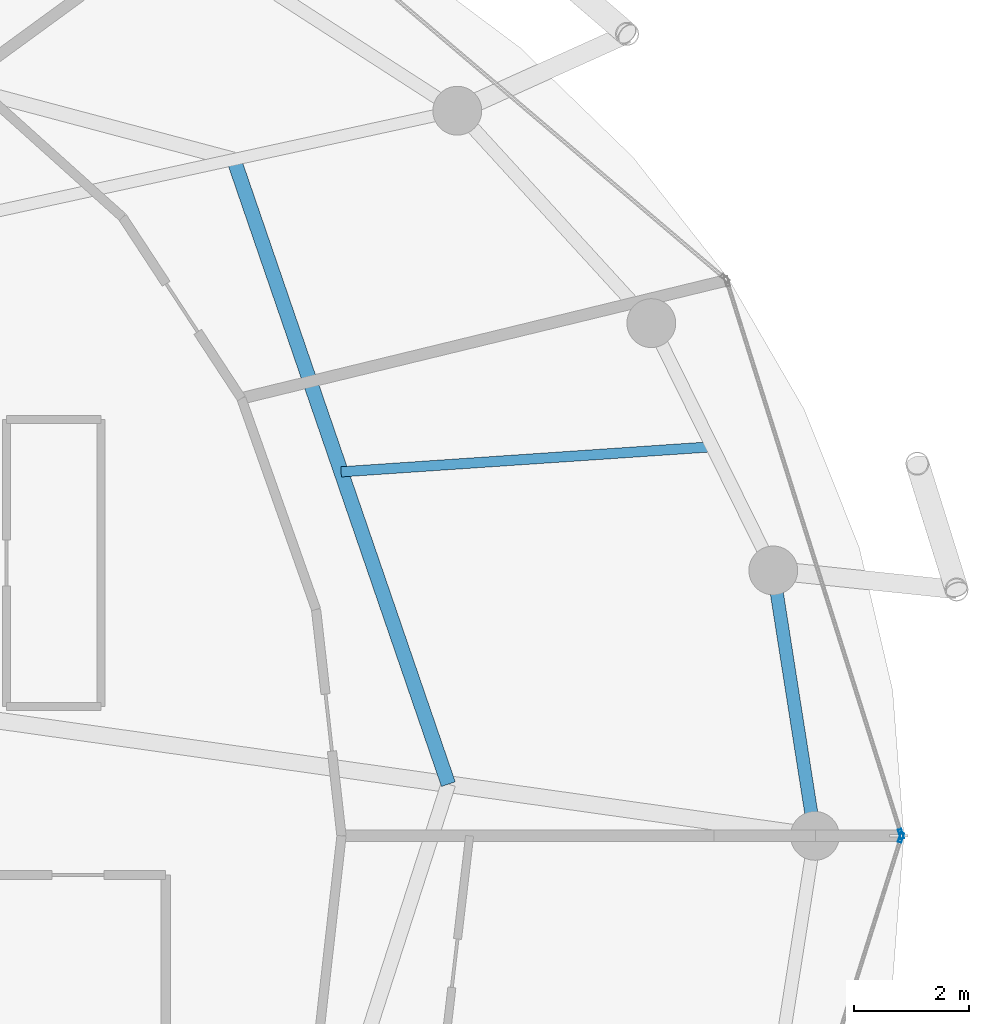
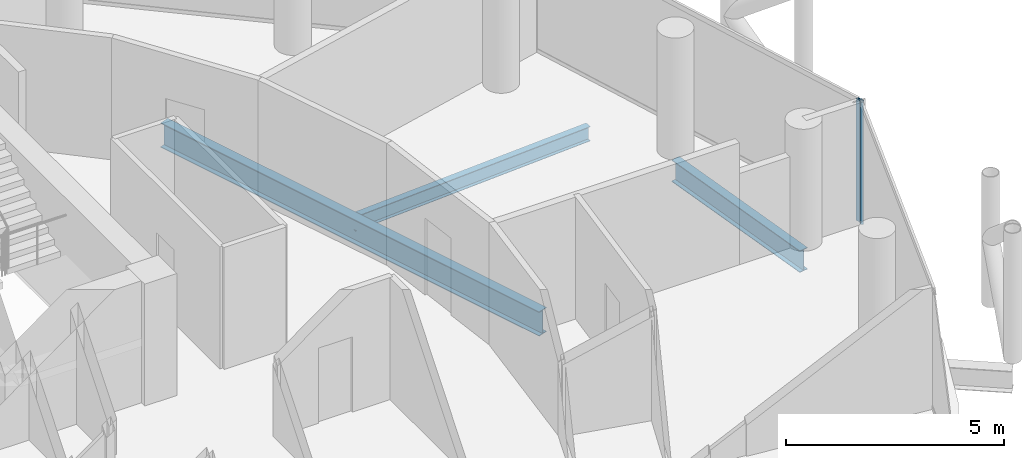
# One storey, part 15 of 28: 3 beams, 2 members, 2 elements without a shape of their own.
"""IFC4 building model written with IfcOpenShell, lengths in metres."""

from ifc_helpers import new_model, si_unit, direction, frame, origin, origin_2d, place, context, subcontext, project, spatial, hollow_rectangle, i_section, extrude, material, layer, layer_set, material_profile, profile_set, type_object, element, aggregate, save


model = new_model("IFC4")

# Units and contexts
model_context = context("Model", 3, precision=1e-05, world=origin(), true_north=direction((0.0, 1.0)))
body_context = subcontext(model_context, "Body", "Model", "MODEL_VIEW")
ifc_project = project(units=[si_unit("LENGTHUNIT", "METRE"), si_unit("AREAUNIT", "SQUARE_METRE"), si_unit("VOLUMEUNIT", "CUBIC_METRE"), si_unit("PLANEANGLEUNIT", "RADIAN"), si_unit("MASSUNIT", "GRAM", prefix="KILO")], contexts=[model_context])

# Site, building, storey
site_placement = place(None, origin())
site = spatial("IfcSite", under=ifc_project, at=site_placement, CompositionType="ELEMENT")
building_placement = place(site_placement, origin())
building = spatial("IfcBuilding", under=site, at=building_placement, Name="Nuhasar Tower", CompositionType="ELEMENT")
storey_placement = place(building_placement, frame((0.0, 0.0, 222.75)))
storey = spatial("IfcBuildingStorey", under=building, at=storey_placement, Name="L54", CompositionType="ELEMENT", Elevation=222.75)

# Beams
ifc_material_1 = material(Name="Steel S355", Category="steel")
ifc_material_profile_1 = material_profile(ifc_material_1, i_section(OverallWidth=0.25390625, OverallDepth=0.68408203125, WebThickness=0.012451171875, FlangeThickness=0.018798828125, at=origin_2d()), Name="W27X94")
ifc_profile_set_1 = profile_set([ifc_material_profile_1], Name="Steel S355")
beam_type_1 = type_object("IfcBeamType", Name="BM-INRING-W27X94", PredefinedType="BEAM", material=ifc_profile_set_1)
beam_1_placement = place(storey_placement, frame((53.8701171875, 27.699951171875, -0.58203125), z_axis=(-0.324809117642, 0.945779592239, 0.0), x_axis=(-0.945779592239, -0.324809117642, 0.0)))
element("IfcBeam", 1, at=beam_1_placement, inside=storey, type_object=beam_type_1, Name="L54 Inner Header Beam 04", PredefinedType="BEAM", context=body_context, shape_type="SweptSolid", body=[
    extrude(i_section(OverallWidth=0.25390625, OverallDepth=0.68408203125, WebThickness=0.012451171875, FlangeThickness=0.018798828125, at=origin_2d()), origin(), (0.0, 0.0, 1.0), 11.496337890625),
])
ifc_material_profile_2 = material_profile(ifc_material_1, i_section(OverallWidth=0.177978515625, OverallDepth=0.406005859375, WebThickness=0.0078125, FlangeThickness=0.0126953125, at=origin_2d()), Name="W16X40")
ifc_profile_set_2 = profile_set([ifc_material_profile_2], Name="Steel S355")
beam_type_2 = type_object("IfcBeamType", Name="BM-JST-W16X40", PredefinedType="JOIST", material=ifc_profile_set_2)
beam_2_placement = place(storey_placement, frame((52.0029296875, 33.135986328125, -0.443115234375), z_axis=(0.997721156568, 0.067472170095, 0.0), x_axis=(-0.067472170095, 0.997721156568, 0.0)))
element("IfcBeam", 2, at=beam_2_placement, inside=storey, type_object=beam_type_2, Name="L54 Secondary Floor Joist 04", PredefinedType="JOIST", context=body_context, shape_type="SweptSolid", body=[
    extrude(i_section(OverallWidth=0.177978515625, OverallDepth=0.406005859375, WebThickness=0.0078125, FlangeThickness=0.0126953125, at=origin_2d()), origin(), (0.0, 0.0, 1.0), 6.476806640625),
])
ifc_material_profile_3 = material_profile(ifc_material_1, i_section(OverallWidth=0.22802734375, OverallDepth=0.60791015625, WebThickness=0.01123046875, FlangeThickness=0.017333984375, at=origin_2d()), Name="W24X76")
ifc_profile_set_3 = profile_set([ifc_material_profile_3], Name="Steel S355")
beam_type_3 = type_object("IfcBeamType", Name="BM-RING-W24X76", PredefinedType="SPANDREL", material=ifc_profile_set_3)
beam_3_placement = place(storey_placement, frame((60.25, 26.800048828125, -0.5439453125), z_axis=(-0.154849872935, 0.987938012657, 0.0), x_axis=(-0.987938012657, -0.154849872935, 0.0)))
element("IfcBeam", 3, at=beam_3_placement, inside=storey, type_object=beam_type_3, Name="L54 Perimeter Ring Spandrel 01", PredefinedType="SPANDREL", context=body_context, shape_type="SweptSolid", body=[
    extrude(i_section(OverallWidth=0.22802734375, OverallDepth=0.60791015625, WebThickness=0.01123046875, FlangeThickness=0.017333984375, at=origin_2d()), origin(), (0.0, 0.0, 1.0), 4.67626953125),
])

# Curtain wall, member
ifc_material_2 = material(Name="Aluminium 6063-T6", Category="aluminium")
ifc_layer = layer(ifc_material_2, 0.18994140625)
ifc_layer_set = layer_set([ifc_layer], Name="Aluminium 6063-T6")
curtain_wall_type = type_object("IfcCurtainWallType", Name="CW-Z3-RES", PredefinedType="NOTDEFINED", material=ifc_layer_set)
curtain_wall_1_placement = place(storey_placement, origin())
curtain_wall_1 = element("IfcCurtainWall", 4, at=curtain_wall_1_placement, inside=storey, type_object=curtain_wall_type, Name="L54 Unitised Curtain Wall 01", PredefinedType="NOTDEFINED")
ifc_material_profile_4 = material_profile(ifc_material_2, hollow_rectangle(XDim=0.06494140625, YDim=0.169921875, WallThickness=0.0048828125, at=origin_2d()), Name="CWM-4")
ifc_profile_set_4 = profile_set([ifc_material_profile_4], Name="Aluminium 6063-T6")
member_type = type_object("IfcMemberType", Name="CW-MUL-S4", PredefinedType="MULLION", material=ifc_profile_set_4)
member_1_placement = place(storey_placement, frame((61.750244140625, 26.8310546875, 0.0), z_axis=(0.0, 0.0, 1.0), x_axis=(-0.95380429279, -0.30042864553, 0.0)))
member_1 = element("IfcMember", 5, at=member_1_placement, type_object=member_type, Name="CW-Z3 mullion 1", PredefinedType="MULLION", context=body_context, shape_type="SweptSolid", body=[
    extrude(hollow_rectangle(XDim=0.06494140625, YDim=0.169921875, WallThickness=0.0048828125, at=origin_2d()), origin(), (0.0, 0.0, 1.0), 3.409912109375),
])
aggregate(curtain_wall_1, [member_1])

curtain_wall_2_placement = place(storey_placement, origin())
curtain_wall_2 = element("IfcCurtainWall", 6, at=curtain_wall_2_placement, inside=storey, type_object=curtain_wall_type, Name="L54 Unitised Curtain Wall 12", PredefinedType="NOTDEFINED")
member_2_placement = place(storey_placement, frame((61.750244140625, 26.76904296875, 0.0), z_axis=(0.0, 0.0, 1.0), x_axis=(-0.95380429279, 0.30042864553, 0.0)))
member_2 = element("IfcMember", 7, at=member_2_placement, type_object=member_type, Name="CW-Z3 mullion 2", PredefinedType="MULLION", context=body_context, shape_type="SweptSolid", body=[
    extrude(hollow_rectangle(XDim=0.06494140625, YDim=0.169921875, WallThickness=0.0048828125, at=origin_2d()), origin(), (0.0, 0.0, 1.0), 3.409912109375),
])
aggregate(curtain_wall_2, [member_2])

save(model, "model.ifc")
